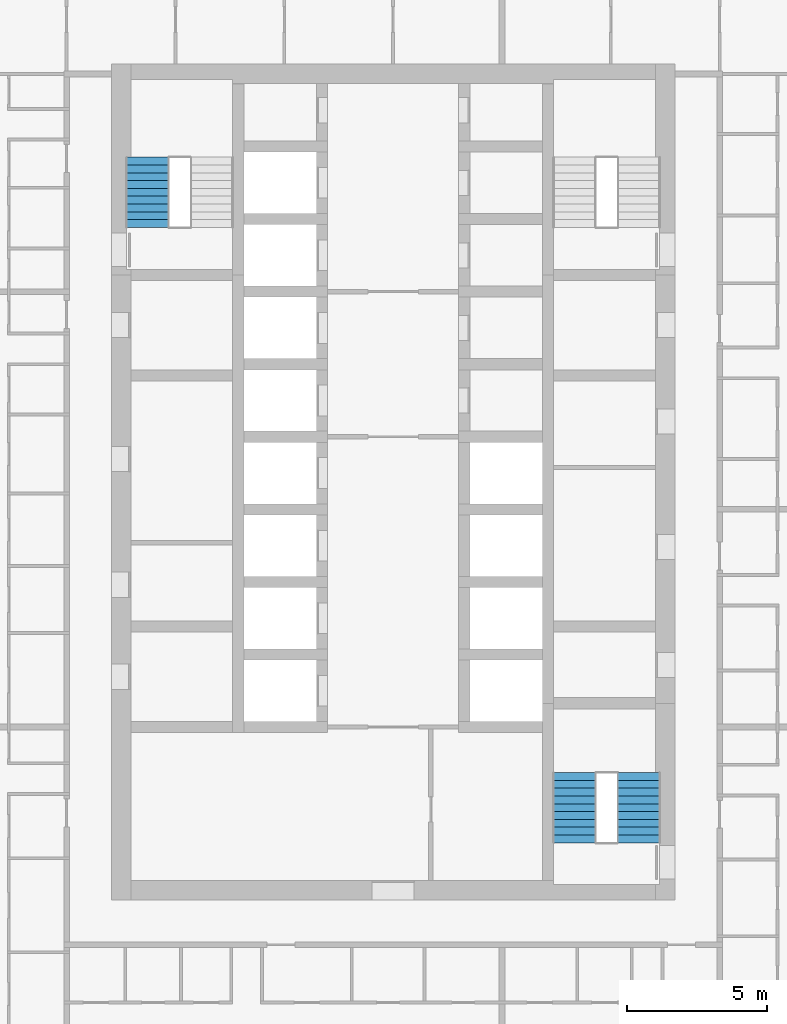
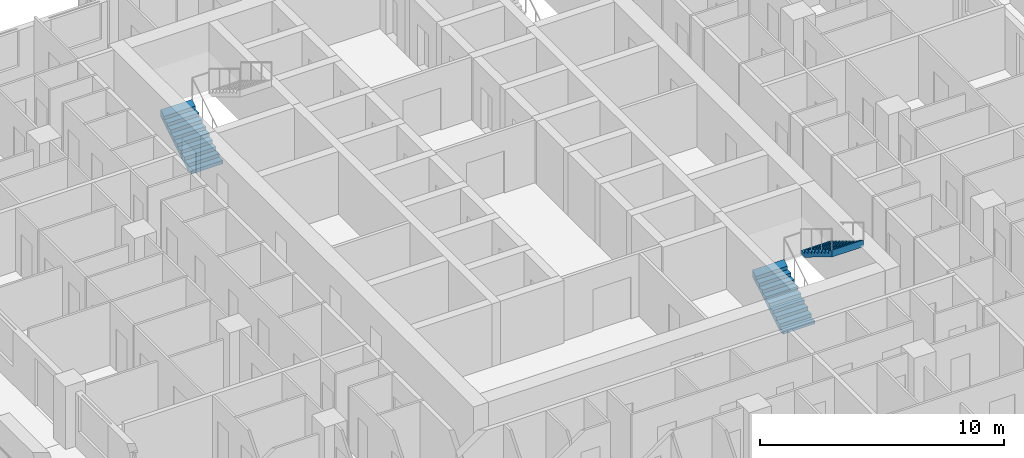
# One storey, part 14 of 17: 3 stair flights, 2 elements without a shape of their own.
"""IFC4 building model written with IfcOpenShell, lengths in metres."""

from ifc_helpers import new_model, si_unit, direction, frame, origin, place, context, subcontext, project, spatial, triangles, material, type_object, element, aggregate, save


model = new_model("IFC4")

# Units and contexts
model_context = context("Model", 3, precision=1e-05, world=origin(), true_north=direction((0.0, 1.0)))
body_context = subcontext(model_context, "Body", "Model", "MODEL_VIEW")
ifc_project = project(units=[si_unit("LENGTHUNIT", "METRE"), si_unit("AREAUNIT", "SQUARE_METRE"), si_unit("VOLUMEUNIT", "CUBIC_METRE"), si_unit("PLANEANGLEUNIT", "RADIAN"), si_unit("MASSUNIT", "GRAM", prefix="KILO")], contexts=[model_context])

# Site, building, storey
site_placement = place(None, origin())
site = spatial("IfcSite", under=ifc_project, at=site_placement, CompositionType="ELEMENT")
building_placement = place(site_placement, origin())
building = spatial("IfcBuilding", under=site, at=building_placement, Name="Ludao Terraces", CompositionType="ELEMENT")
storey_placement = place(building_placement, frame((0.0, 0.0, 85.199951171875)))
storey = spatial("IfcBuildingStorey", under=building, at=storey_placement, Name="L23", CompositionType="ELEMENT", Elevation=85.199951171875)

# Stair, stair flight
ifc_material = material(Name="Concrete C40", Category="concrete")
stair_type = type_object("IfcStairType", Name="INT Stair", PredefinedType="HALF_TURN_STAIR", material=ifc_material)
stair_1_placement = place(storey_placement, origin())
stair_1 = element("IfcStair", 1, at=stair_1_placement, inside=storey, type_object=stair_type, Name="EXIT STAIR 1", PredefinedType="HALF_TURN_STAIR")
stair_flight_type = type_object("IfcStairFlightType", Name="INT Stair flight", PredefinedType="STRAIGHT", material=ifc_material)
stair_flight_1_placement = place(storey_placement, frame((76.199951171875, 79.0, 0.0), z_axis=(0.0, 0.0, 1.0), x_axis=(0.0, 1.0, 0.0)))
stair_flight_1 = element("IfcStairFlight", 2, at=stair_flight_1_placement, type_object=stair_flight_type, Name="ST1 flight 1", NumberOfRisers=10, NumberOfTreads=9, PredefinedType="STRAIGHT", RiserHeight=0.17, TreadLength=0.28, context=body_context, shape_type="Tessellation", body=[
    triangles([(0.0, -0.75, 0.0), (0.0, -0.5, 0.0), (0.0, -0.25, 0.0), (0.0, 0.0, 0.0), (0.0, 0.25, 0.0), (0.0, 0.5, 0.0), (0.0, 0.75, 0.0), (0.0, -0.75, 0.169921875), (0.0, -0.5, 0.169921875), (0.0, -0.25, 0.169921875), (0.0, 0.0, 0.169921875), (0.0, 0.25, 0.169921875), (0.0, 0.5, 0.169921875), (0.0, 0.75, 0.169921875), (0.280029296875, -0.75, 0.169921875), (0.280029296875, -0.5, 0.169921875), (0.280029296875, -0.25, 0.169921875), (0.280029296875, 0.0, 0.169921875), (0.280029296875, 0.25, 0.169921875), (0.280029296875, 0.5, 0.169921875), (0.280029296875, 0.75, 0.169921875), (0.280029296875, -0.75, 0.340087890625), (0.280029296875, -0.5, 0.340087890625), (0.280029296875, -0.25, 0.340087890625), (0.280029296875, 0.0, 0.340087890625), (0.280029296875, 0.25, 0.340087890625), (0.280029296875, 0.5, 0.340087890625), (0.280029296875, 0.75, 0.340087890625), (0.56005859375, -0.75, 0.340087890625), (0.56005859375, -0.5, 0.340087890625), (0.56005859375, -0.25, 0.340087890625), (0.56005859375, 0.0, 0.340087890625), (0.56005859375, 0.25, 0.340087890625), (0.56005859375, 0.5, 0.340087890625), (0.56005859375, 0.75, 0.340087890625), (0.56005859375, -0.75, 0.510009765625), (0.56005859375, -0.5, 0.510009765625), (0.56005859375, -0.25, 0.510009765625), (0.56005859375, 0.0, 0.510009765625), (0.56005859375, 0.25, 0.510009765625), (0.56005859375, 0.5, 0.510009765625), (0.56005859375, 0.75, 0.510009765625), (0.840087890625, -0.75, 0.510009765625), (0.840087890625, -0.5, 0.510009765625), (0.840087890625, -0.25, 0.510009765625), (0.840087890625, 0.0, 0.510009765625), (0.840087890625, 0.25, 0.510009765625), (0.840087890625, 0.5, 0.510009765625), (0.840087890625, 0.75, 0.510009765625), (0.840087890625, -0.75, 0.679931640625), (0.840087890625, -0.5, 0.679931640625), (0.840087890625, -0.25, 0.679931640625), (0.840087890625, 0.0, 0.679931640625), (0.840087890625, 0.25, 0.679931640625), (0.840087890625, 0.5, 0.679931640625), (0.840087890625, 0.75, 0.679931640625), (1.1201171875, -0.75, 0.679931640625), (1.1201171875, -0.5, 0.679931640625), (1.1201171875, -0.25, 0.679931640625), (1.1201171875, 0.0, 0.679931640625), (1.1201171875, 0.25, 0.679931640625), (1.1201171875, 0.5, 0.679931640625), (1.1201171875, 0.75, 0.679931640625), (1.1201171875, -0.75, 0.85009765625), (1.1201171875, -0.5, 0.85009765625), (1.1201171875, -0.25, 0.85009765625), (1.1201171875, 0.0, 0.85009765625), (1.1201171875, 0.25, 0.85009765625), (1.1201171875, 0.5, 0.85009765625), (1.1201171875, 0.75, 0.85009765625), (1.39990234375, -0.75, 0.85009765625), (1.39990234375, -0.5, 0.85009765625), (1.39990234375, -0.25, 0.85009765625), (1.39990234375, 0.0, 0.85009765625), (1.39990234375, 0.25, 0.85009765625), (1.39990234375, 0.5, 0.85009765625), (1.39990234375, 0.75, 0.85009765625), (1.39990234375, -0.75, 1.02001953125), (1.39990234375, -0.5, 1.02001953125), (1.39990234375, -0.25, 1.02001953125), (1.39990234375, 0.0, 1.02001953125), (1.39990234375, 0.25, 1.02001953125), (1.39990234375, 0.5, 1.02001953125), (1.39990234375, 0.75, 1.02001953125), (1.679931640625, -0.75, 1.02001953125), (1.679931640625, -0.5, 1.02001953125), (1.679931640625, -0.25, 1.02001953125), (1.679931640625, 0.0, 1.02001953125), (1.679931640625, 0.25, 1.02001953125), (1.679931640625, 0.5, 1.02001953125), (1.679931640625, 0.75, 1.02001953125), (1.679931640625, -0.75, 1.18994140625), (1.679931640625, -0.5, 1.18994140625), (1.679931640625, -0.25, 1.18994140625), (1.679931640625, 0.0, 1.18994140625), (1.679931640625, 0.25, 1.18994140625), (1.679931640625, 0.5, 1.18994140625), (1.679931640625, 0.75, 1.18994140625), (1.9599609375, -0.75, 1.18994140625), (1.9599609375, -0.5, 1.18994140625), (1.9599609375, -0.25, 1.18994140625), (1.9599609375, 0.0, 1.18994140625), (1.9599609375, 0.25, 1.18994140625), (1.9599609375, 0.5, 1.18994140625), (1.9599609375, 0.75, 1.18994140625), (1.9599609375, -0.75, 1.360107421875), (1.9599609375, -0.5, 1.360107421875), (1.9599609375, -0.25, 1.360107421875), (1.9599609375, 0.0, 1.360107421875), (1.9599609375, 0.25, 1.360107421875), (1.9599609375, 0.5, 1.360107421875), (1.9599609375, 0.75, 1.360107421875), (2.239990234375, -0.75, 1.360107421875), (2.239990234375, -0.5, 1.360107421875), (2.239990234375, -0.25, 1.360107421875), (2.239990234375, 0.0, 1.360107421875), (2.239990234375, 0.25, 1.360107421875), (2.239990234375, 0.5, 1.360107421875), (2.239990234375, 0.75, 1.360107421875), (2.239990234375, -0.75, 1.530029296875), (2.239990234375, -0.5, 1.530029296875), (2.239990234375, -0.25, 1.530029296875), (2.239990234375, 0.0, 1.530029296875), (2.239990234375, 0.25, 1.530029296875), (2.239990234375, 0.5, 1.530029296875), (2.239990234375, 0.75, 1.530029296875), (2.52001953125, -0.75, 1.699951171875), (2.52001953125, -0.5, 1.699951171875), (2.52001953125, -0.25, 1.699951171875), (2.52001953125, 0.0, 1.699951171875), (2.52001953125, 0.25, 1.699951171875), (2.52001953125, 0.5, 1.699951171875), (2.52001953125, 0.75, 1.699951171875), (2.52001953125, -0.75, 1.354736328125), (2.52001953125, -0.5, 1.354736328125), (2.52001953125, -0.25, 1.354736328125), (2.52001953125, 0.0, 1.354736328125), (2.52001953125, 0.25, 1.354736328125), (2.52001953125, 0.5, 1.354736328125), (2.52001953125, 0.75, 1.354736328125), (0.288818359375, -0.75, 0.0), (0.288818359375, -0.5, 0.0), (0.288818359375, -0.25, 0.0), (0.288818359375, 0.0, 0.0), (0.288818359375, 0.25, 0.0), (0.288818359375, 0.5, 0.0), (0.288818359375, 0.75, 0.0)], [[1, 141, 134], [7, 140, 147], [134, 127, 120], [140, 126, 133], [134, 120, 113], [140, 119, 126], [134, 113, 106], [140, 112, 119], [134, 106, 99], [140, 105, 112], [99, 92, 85], [105, 91, 98], [134, 99, 85], [140, 91, 105], [85, 78, 71], [91, 77, 84], [134, 85, 71], [140, 77, 91], [71, 64, 57], [77, 63, 70], [134, 71, 57], [140, 63, 77], [57, 50, 43], [63, 49, 56], [134, 57, 43], [140, 49, 63], [43, 36, 29], [49, 35, 42], [134, 43, 29], [140, 35, 49], [29, 22, 15], [35, 21, 28], [134, 29, 15], [140, 21, 35], [1, 134, 15], [7, 21, 140], [15, 8, 1], [21, 7, 14], [1, 9, 2], [1, 8, 9], [2, 10, 3], [2, 9, 10], [3, 11, 4], [3, 10, 11], [4, 12, 5], [4, 11, 12], [5, 13, 6], [5, 12, 13], [6, 14, 7], [6, 13, 14], [8, 16, 9], [8, 15, 16], [9, 17, 10], [9, 16, 17], [10, 18, 11], [10, 17, 18], [11, 19, 12], [11, 18, 19], [12, 20, 13], [12, 19, 20], [13, 21, 14], [13, 20, 21], [15, 23, 16], [15, 22, 23], [16, 24, 17], [16, 23, 24], [17, 25, 18], [17, 24, 25], [18, 26, 19], [18, 25, 26], [19, 27, 20], [19, 26, 27], [20, 28, 21], [20, 27, 28], [22, 30, 23], [22, 29, 30], [23, 31, 24], [23, 30, 31], [24, 32, 25], [24, 31, 32], [25, 33, 26], [25, 32, 33], [26, 34, 27], [26, 33, 34], [27, 35, 28], [27, 34, 35], [29, 37, 30], [29, 36, 37], [30, 38, 31], [30, 37, 38], [31, 39, 32], [31, 38, 39], [32, 40, 33], [32, 39, 40], [33, 41, 34], [33, 40, 41], [34, 42, 35], [34, 41, 42], [36, 44, 37], [36, 43, 44], [37, 45, 38], [37, 44, 45], [38, 46, 39], [38, 45, 46], [39, 47, 40], [39, 46, 47], [40, 48, 41], [40, 47, 48], [41, 49, 42], [41, 48, 49], [43, 51, 44], [43, 50, 51], [44, 52, 45], [44, 51, 52], [45, 53, 46], [45, 52, 53], [46, 54, 47], [46, 53, 54], [47, 55, 48], [47, 54, 55], [48, 56, 49], [48, 55, 56], [50, 58, 51], [50, 57, 58], [51, 59, 52], [51, 58, 59], [52, 60, 53], [52, 59, 60], [53, 61, 54], [53, 60, 61], [54, 62, 55], [54, 61, 62], [55, 63, 56], [55, 62, 63], [57, 65, 58], [57, 64, 65], [58, 66, 59], [58, 65, 66], [59, 67, 60], [59, 66, 67], [60, 68, 61], [60, 67, 68], [61, 69, 62], [61, 68, 69], [62, 70, 63], [62, 69, 70], [64, 72, 65], [64, 71, 72], [65, 73, 66], [65, 72, 73], [66, 74, 67], [66, 73, 74], [67, 75, 68], [67, 74, 75], [68, 76, 69], [68, 75, 76], [69, 77, 70], [69, 76, 77], [71, 79, 72], [71, 78, 79], [72, 80, 73], [72, 79, 80], [73, 81, 74], [73, 80, 81], [74, 82, 75], [74, 81, 82], [75, 83, 76], [75, 82, 83], [76, 84, 77], [76, 83, 84], [78, 86, 79], [78, 85, 86], [79, 87, 80], [79, 86, 87], [80, 88, 81], [80, 87, 88], [81, 89, 82], [81, 88, 89], [82, 90, 83], [82, 89, 90], [83, 91, 84], [83, 90, 91], [85, 93, 86], [85, 92, 93], [86, 94, 87], [86, 93, 94], [87, 95, 88], [87, 94, 95], [88, 96, 89], [88, 95, 96], [89, 97, 90], [89, 96, 97], [90, 98, 91], [90, 97, 98], [92, 100, 93], [92, 99, 100], [93, 101, 94], [93, 100, 101], [94, 102, 95], [94, 101, 102], [95, 103, 96], [95, 102, 103], [96, 104, 97], [96, 103, 104], [97, 105, 98], [97, 104, 105], [99, 107, 100], [99, 106, 107], [100, 108, 101], [100, 107, 108], [101, 109, 102], [101, 108, 109], [102, 110, 103], [102, 109, 110], [103, 111, 104], [103, 110, 111], [104, 112, 105], [104, 111, 112], [106, 114, 107], [106, 113, 114], [107, 115, 108], [107, 114, 115], [108, 116, 109], [108, 115, 116], [109, 117, 110], [109, 116, 117], [110, 118, 111], [110, 117, 118], [111, 119, 112], [111, 118, 119], [113, 121, 114], [113, 120, 121], [114, 122, 115], [114, 121, 122], [115, 123, 116], [115, 122, 123], [116, 124, 117], [116, 123, 124], [117, 125, 118], [117, 124, 125], [118, 126, 119], [118, 125, 126], [120, 128, 121], [120, 127, 128], [121, 129, 122], [121, 128, 129], [122, 130, 123], [122, 129, 130], [123, 131, 124], [123, 130, 131], [124, 132, 125], [124, 131, 132], [125, 133, 126], [125, 132, 133], [127, 135, 128], [127, 134, 135], [128, 136, 129], [128, 135, 136], [129, 137, 130], [129, 136, 137], [130, 138, 131], [130, 137, 138], [131, 139, 132], [131, 138, 139], [132, 140, 133], [132, 139, 140], [134, 142, 135], [134, 141, 142], [135, 143, 136], [135, 142, 143], [136, 144, 137], [136, 143, 144], [137, 145, 138], [137, 144, 145], [138, 146, 139], [138, 145, 146], [139, 147, 140], [139, 146, 147], [141, 2, 142], [141, 1, 2], [142, 3, 143], [142, 2, 3], [143, 4, 144], [143, 3, 4], [144, 5, 145], [144, 4, 5], [145, 6, 146], [145, 5, 6], [146, 7, 147], [146, 6, 7]], closed=True),
])
aggregate(stair_1, [stair_flight_1])

# Stair, stair flights
stair_2_placement = place(storey_placement, origin())
stair_2 = element("IfcStair", 3, at=stair_2_placement, inside=storey, type_object=stair_type, Name="EXIT STAIR 3", PredefinedType="HALF_TURN_STAIR")
stair_flight_2_placement = place(storey_placement, frame((91.5, 56.949951171875, 0.0), z_axis=(0.0, 0.0, 1.0), x_axis=(0.0, 1.0, 0.0)))
stair_flight_2 = element("IfcStairFlight", 4, at=stair_flight_2_placement, type_object=stair_flight_type, Name="ST3 flight 1", NumberOfRisers=10, NumberOfTreads=9, PredefinedType="STRAIGHT", RiserHeight=0.17, TreadLength=0.28, context=body_context, shape_type="Tessellation", body=[
    triangles([(0.0, -0.75, 0.0), (0.0, -0.5, 0.0), (0.0, -0.25, 0.0), (0.0, 0.0, 0.0), (0.0, 0.25, 0.0), (0.0, 0.5, 0.0), (0.0, 0.75, 0.0), (0.0, -0.75, 0.169921875), (0.0, -0.5, 0.169921875), (0.0, -0.25, 0.169921875), (0.0, 0.0, 0.169921875), (0.0, 0.25, 0.169921875), (0.0, 0.5, 0.169921875), (0.0, 0.75, 0.169921875), (0.280029296875, -0.75, 0.169921875), (0.280029296875, -0.5, 0.169921875), (0.280029296875, -0.25, 0.169921875), (0.280029296875, 0.0, 0.169921875), (0.280029296875, 0.25, 0.169921875), (0.280029296875, 0.5, 0.169921875), (0.280029296875, 0.75, 0.169921875), (0.280029296875, -0.75, 0.340087890625), (0.280029296875, -0.5, 0.340087890625), (0.280029296875, -0.25, 0.340087890625), (0.280029296875, 0.0, 0.340087890625), (0.280029296875, 0.25, 0.340087890625), (0.280029296875, 0.5, 0.340087890625), (0.280029296875, 0.75, 0.340087890625), (0.56005859375, -0.75, 0.340087890625), (0.56005859375, -0.5, 0.340087890625), (0.56005859375, -0.25, 0.340087890625), (0.56005859375, 0.0, 0.340087890625), (0.56005859375, 0.25, 0.340087890625), (0.56005859375, 0.5, 0.340087890625), (0.56005859375, 0.75, 0.340087890625), (0.56005859375, -0.75, 0.510009765625), (0.56005859375, -0.5, 0.510009765625), (0.56005859375, -0.25, 0.510009765625), (0.56005859375, 0.0, 0.510009765625), (0.56005859375, 0.25, 0.510009765625), (0.56005859375, 0.5, 0.510009765625), (0.56005859375, 0.75, 0.510009765625), (0.840087890625, -0.75, 0.510009765625), (0.840087890625, -0.5, 0.510009765625), (0.840087890625, -0.25, 0.510009765625), (0.840087890625, 0.0, 0.510009765625), (0.840087890625, 0.25, 0.510009765625), (0.840087890625, 0.5, 0.510009765625), (0.840087890625, 0.75, 0.510009765625), (0.840087890625, -0.75, 0.679931640625), (0.840087890625, -0.5, 0.679931640625), (0.840087890625, -0.25, 0.679931640625), (0.840087890625, 0.0, 0.679931640625), (0.840087890625, 0.25, 0.679931640625), (0.840087890625, 0.5, 0.679931640625), (0.840087890625, 0.75, 0.679931640625), (1.1201171875, -0.75, 0.679931640625), (1.1201171875, -0.5, 0.679931640625), (1.1201171875, -0.25, 0.679931640625), (1.1201171875, 0.0, 0.679931640625), (1.1201171875, 0.25, 0.679931640625), (1.1201171875, 0.5, 0.679931640625), (1.1201171875, 0.75, 0.679931640625), (1.1201171875, -0.75, 0.85009765625), (1.1201171875, -0.5, 0.85009765625), (1.1201171875, -0.25, 0.85009765625), (1.1201171875, 0.0, 0.85009765625), (1.1201171875, 0.25, 0.85009765625), (1.1201171875, 0.5, 0.85009765625), (1.1201171875, 0.75, 0.85009765625), (1.39990234375, -0.75, 0.85009765625), (1.39990234375, -0.5, 0.85009765625), (1.39990234375, -0.25, 0.85009765625), (1.39990234375, 0.0, 0.85009765625), (1.39990234375, 0.25, 0.85009765625), (1.39990234375, 0.5, 0.85009765625), (1.39990234375, 0.75, 0.85009765625), (1.39990234375, -0.75, 1.02001953125), (1.39990234375, -0.5, 1.02001953125), (1.39990234375, -0.25, 1.02001953125), (1.39990234375, 0.0, 1.02001953125), (1.39990234375, 0.25, 1.02001953125), (1.39990234375, 0.5, 1.02001953125), (1.39990234375, 0.75, 1.02001953125), (1.679931640625, -0.75, 1.02001953125), (1.679931640625, -0.5, 1.02001953125), (1.679931640625, -0.25, 1.02001953125), (1.679931640625, 0.0, 1.02001953125), (1.679931640625, 0.25, 1.02001953125), (1.679931640625, 0.5, 1.02001953125), (1.679931640625, 0.75, 1.02001953125), (1.679931640625, -0.75, 1.18994140625), (1.679931640625, -0.5, 1.18994140625), (1.679931640625, -0.25, 1.18994140625), (1.679931640625, 0.0, 1.18994140625), (1.679931640625, 0.25, 1.18994140625), (1.679931640625, 0.5, 1.18994140625), (1.679931640625, 0.75, 1.18994140625), (1.9599609375, -0.75, 1.18994140625), (1.9599609375, -0.5, 1.18994140625), (1.9599609375, -0.25, 1.18994140625), (1.9599609375, 0.0, 1.18994140625), (1.9599609375, 0.25, 1.18994140625), (1.9599609375, 0.5, 1.18994140625), (1.9599609375, 0.75, 1.18994140625), (1.9599609375, -0.75, 1.360107421875), (1.9599609375, -0.5, 1.360107421875), (1.9599609375, -0.25, 1.360107421875), (1.9599609375, 0.0, 1.360107421875), (1.9599609375, 0.25, 1.360107421875), (1.9599609375, 0.5, 1.360107421875), (1.9599609375, 0.75, 1.360107421875), (2.239990234375, -0.75, 1.360107421875), (2.239990234375, -0.5, 1.360107421875), (2.239990234375, -0.25, 1.360107421875), (2.239990234375, 0.0, 1.360107421875), (2.239990234375, 0.25, 1.360107421875), (2.239990234375, 0.5, 1.360107421875), (2.239990234375, 0.75, 1.360107421875), (2.239990234375, -0.75, 1.530029296875), (2.239990234375, -0.5, 1.530029296875), (2.239990234375, -0.25, 1.530029296875), (2.239990234375, 0.0, 1.530029296875), (2.239990234375, 0.25, 1.530029296875), (2.239990234375, 0.5, 1.530029296875), (2.239990234375, 0.75, 1.530029296875), (2.52001953125, -0.75, 1.699951171875), (2.52001953125, -0.5, 1.699951171875), (2.52001953125, -0.25, 1.699951171875), (2.52001953125, 0.0, 1.699951171875), (2.52001953125, 0.25, 1.699951171875), (2.52001953125, 0.5, 1.699951171875), (2.52001953125, 0.75, 1.699951171875), (2.52001953125, -0.75, 1.354736328125), (2.52001953125, -0.5, 1.354736328125), (2.52001953125, -0.25, 1.354736328125), (2.52001953125, 0.0, 1.354736328125), (2.52001953125, 0.25, 1.354736328125), (2.52001953125, 0.5, 1.354736328125), (2.52001953125, 0.75, 1.354736328125), (0.288818359375, -0.75, 0.0), (0.288818359375, -0.5, 0.0), (0.288818359375, -0.25, 0.0), (0.288818359375, 0.0, 0.0), (0.288818359375, 0.25, 0.0), (0.288818359375, 0.5, 0.0), (0.288818359375, 0.75, 0.0)], [[1, 141, 134], [7, 140, 147], [134, 127, 120], [140, 126, 133], [134, 120, 113], [140, 119, 126], [134, 113, 106], [140, 112, 119], [134, 106, 99], [140, 105, 112], [99, 92, 85], [105, 91, 98], [134, 99, 85], [140, 91, 105], [85, 78, 71], [91, 77, 84], [134, 85, 71], [140, 77, 91], [71, 64, 57], [77, 63, 70], [134, 71, 57], [140, 63, 77], [57, 50, 43], [63, 49, 56], [134, 57, 43], [140, 49, 63], [43, 36, 29], [49, 35, 42], [134, 43, 29], [140, 35, 49], [29, 22, 15], [35, 21, 28], [134, 29, 15], [140, 21, 35], [1, 134, 15], [7, 21, 140], [15, 8, 1], [21, 7, 14], [1, 9, 2], [1, 8, 9], [2, 10, 3], [2, 9, 10], [3, 11, 4], [3, 10, 11], [4, 12, 5], [4, 11, 12], [5, 13, 6], [5, 12, 13], [6, 14, 7], [6, 13, 14], [8, 16, 9], [8, 15, 16], [9, 17, 10], [9, 16, 17], [10, 18, 11], [10, 17, 18], [11, 19, 12], [11, 18, 19], [12, 20, 13], [12, 19, 20], [13, 21, 14], [13, 20, 21], [15, 23, 16], [15, 22, 23], [16, 24, 17], [16, 23, 24], [17, 25, 18], [17, 24, 25], [18, 26, 19], [18, 25, 26], [19, 27, 20], [19, 26, 27], [20, 28, 21], [20, 27, 28], [22, 30, 23], [22, 29, 30], [23, 31, 24], [23, 30, 31], [24, 32, 25], [24, 31, 32], [25, 33, 26], [25, 32, 33], [26, 34, 27], [26, 33, 34], [27, 35, 28], [27, 34, 35], [29, 37, 30], [29, 36, 37], [30, 38, 31], [30, 37, 38], [31, 39, 32], [31, 38, 39], [32, 40, 33], [32, 39, 40], [33, 41, 34], [33, 40, 41], [34, 42, 35], [34, 41, 42], [36, 44, 37], [36, 43, 44], [37, 45, 38], [37, 44, 45], [38, 46, 39], [38, 45, 46], [39, 47, 40], [39, 46, 47], [40, 48, 41], [40, 47, 48], [41, 49, 42], [41, 48, 49], [43, 51, 44], [43, 50, 51], [44, 52, 45], [44, 51, 52], [45, 53, 46], [45, 52, 53], [46, 54, 47], [46, 53, 54], [47, 55, 48], [47, 54, 55], [48, 56, 49], [48, 55, 56], [50, 58, 51], [50, 57, 58], [51, 59, 52], [51, 58, 59], [52, 60, 53], [52, 59, 60], [53, 61, 54], [53, 60, 61], [54, 62, 55], [54, 61, 62], [55, 63, 56], [55, 62, 63], [57, 65, 58], [57, 64, 65], [58, 66, 59], [58, 65, 66], [59, 67, 60], [59, 66, 67], [60, 68, 61], [60, 67, 68], [61, 69, 62], [61, 68, 69], [62, 70, 63], [62, 69, 70], [64, 72, 65], [64, 71, 72], [65, 73, 66], [65, 72, 73], [66, 74, 67], [66, 73, 74], [67, 75, 68], [67, 74, 75], [68, 76, 69], [68, 75, 76], [69, 77, 70], [69, 76, 77], [71, 79, 72], [71, 78, 79], [72, 80, 73], [72, 79, 80], [73, 81, 74], [73, 80, 81], [74, 82, 75], [74, 81, 82], [75, 83, 76], [75, 82, 83], [76, 84, 77], [76, 83, 84], [78, 86, 79], [78, 85, 86], [79, 87, 80], [79, 86, 87], [80, 88, 81], [80, 87, 88], [81, 89, 82], [81, 88, 89], [82, 90, 83], [82, 89, 90], [83, 91, 84], [83, 90, 91], [85, 93, 86], [85, 92, 93], [86, 94, 87], [86, 93, 94], [87, 95, 88], [87, 94, 95], [88, 96, 89], [88, 95, 96], [89, 97, 90], [89, 96, 97], [90, 98, 91], [90, 97, 98], [92, 100, 93], [92, 99, 100], [93, 101, 94], [93, 100, 101], [94, 102, 95], [94, 101, 102], [95, 103, 96], [95, 102, 103], [96, 104, 97], [96, 103, 104], [97, 105, 98], [97, 104, 105], [99, 107, 100], [99, 106, 107], [100, 108, 101], [100, 107, 108], [101, 109, 102], [101, 108, 109], [102, 110, 103], [102, 109, 110], [103, 111, 104], [103, 110, 111], [104, 112, 105], [104, 111, 112], [106, 114, 107], [106, 113, 114], [107, 115, 108], [107, 114, 115], [108, 116, 109], [108, 115, 116], [109, 117, 110], [109, 116, 117], [110, 118, 111], [110, 117, 118], [111, 119, 112], [111, 118, 119], [113, 121, 114], [113, 120, 121], [114, 122, 115], [114, 121, 122], [115, 123, 116], [115, 122, 123], [116, 124, 117], [116, 123, 124], [117, 125, 118], [117, 124, 125], [118, 126, 119], [118, 125, 126], [120, 128, 121], [120, 127, 128], [121, 129, 122], [121, 128, 129], [122, 130, 123], [122, 129, 130], [123, 131, 124], [123, 130, 131], [124, 132, 125], [124, 131, 132], [125, 133, 126], [125, 132, 133], [127, 135, 128], [127, 134, 135], [128, 136, 129], [128, 135, 136], [129, 137, 130], [129, 136, 137], [130, 138, 131], [130, 137, 138], [131, 139, 132], [131, 138, 139], [132, 140, 133], [132, 139, 140], [134, 142, 135], [134, 141, 142], [135, 143, 136], [135, 142, 143], [136, 144, 137], [136, 143, 144], [137, 145, 138], [137, 144, 145], [138, 146, 139], [138, 145, 146], [139, 147, 140], [139, 146, 147], [141, 2, 142], [141, 1, 2], [142, 3, 143], [142, 2, 3], [143, 4, 144], [143, 3, 4], [144, 5, 145], [144, 4, 5], [145, 6, 146], [145, 5, 6], [146, 7, 147], [146, 6, 7]], closed=True),
])
stair_flight_3_placement = place(storey_placement, frame((93.800048828125, 59.469970703125, 1.699951171875), z_axis=(0.0, 0.0, 1.0), x_axis=(0.0, -1.0, 0.0)))
stair_flight_3 = element("IfcStairFlight", 5, at=stair_flight_3_placement, type_object=stair_flight_type, Name="ST3 flight 2", NumberOfRisers=10, NumberOfTreads=9, PredefinedType="STRAIGHT", RiserHeight=0.17, TreadLength=0.28, context=body_context, shape_type="Tessellation", body=[
    triangles([(0.0, -0.75, 0.0), (0.0, -0.5, 0.0), (0.0, -0.25, 0.0), (0.0, 0.0, 0.0), (0.0, 0.25, 0.0), (0.0, 0.5, 0.0), (0.0, 0.75, 0.0), (0.0, -0.75, 0.169921875), (0.0, -0.5, 0.169921875), (0.0, -0.25, 0.169921875), (0.0, 0.0, 0.169921875), (0.0, 0.25, 0.169921875), (0.0, 0.5, 0.169921875), (0.0, 0.75, 0.169921875), (0.280029296875, -0.75, 0.169921875), (0.280029296875, -0.5, 0.169921875), (0.280029296875, -0.25, 0.169921875), (0.280029296875, 0.0, 0.169921875), (0.280029296875, 0.25, 0.169921875), (0.280029296875, 0.5, 0.169921875), (0.280029296875, 0.75, 0.169921875), (0.280029296875, -0.75, 0.340087890625), (0.280029296875, -0.5, 0.340087890625), (0.280029296875, -0.25, 0.340087890625), (0.280029296875, 0.0, 0.340087890625), (0.280029296875, 0.25, 0.340087890625), (0.280029296875, 0.5, 0.340087890625), (0.280029296875, 0.75, 0.340087890625), (0.56005859375, -0.75, 0.340087890625), (0.56005859375, -0.5, 0.340087890625), (0.56005859375, -0.25, 0.340087890625), (0.56005859375, 0.0, 0.340087890625), (0.56005859375, 0.25, 0.340087890625), (0.56005859375, 0.5, 0.340087890625), (0.56005859375, 0.75, 0.340087890625), (0.56005859375, -0.75, 0.510009765625), (0.56005859375, -0.5, 0.510009765625), (0.56005859375, -0.25, 0.510009765625), (0.56005859375, 0.0, 0.510009765625), (0.56005859375, 0.25, 0.510009765625), (0.56005859375, 0.5, 0.510009765625), (0.56005859375, 0.75, 0.510009765625), (0.840087890625, -0.75, 0.510009765625), (0.840087890625, -0.5, 0.510009765625), (0.840087890625, -0.25, 0.510009765625), (0.840087890625, 0.0, 0.510009765625), (0.840087890625, 0.25, 0.510009765625), (0.840087890625, 0.5, 0.510009765625), (0.840087890625, 0.75, 0.510009765625), (0.840087890625, -0.75, 0.679931640625), (0.840087890625, -0.5, 0.679931640625), (0.840087890625, -0.25, 0.679931640625), (0.840087890625, 0.0, 0.679931640625), (0.840087890625, 0.25, 0.679931640625), (0.840087890625, 0.5, 0.679931640625), (0.840087890625, 0.75, 0.679931640625), (1.1201171875, -0.75, 0.679931640625), (1.1201171875, -0.5, 0.679931640625), (1.1201171875, -0.25, 0.679931640625), (1.1201171875, 0.0, 0.679931640625), (1.1201171875, 0.25, 0.679931640625), (1.1201171875, 0.5, 0.679931640625), (1.1201171875, 0.75, 0.679931640625), (1.1201171875, -0.75, 0.85009765625), (1.1201171875, -0.5, 0.85009765625), (1.1201171875, -0.25, 0.85009765625), (1.1201171875, 0.0, 0.85009765625), (1.1201171875, 0.25, 0.85009765625), (1.1201171875, 0.5, 0.85009765625), (1.1201171875, 0.75, 0.85009765625), (1.39990234375, -0.75, 0.85009765625), (1.39990234375, -0.5, 0.85009765625), (1.39990234375, -0.25, 0.85009765625), (1.39990234375, 0.0, 0.85009765625), (1.39990234375, 0.25, 0.85009765625), (1.39990234375, 0.5, 0.85009765625), (1.39990234375, 0.75, 0.85009765625), (1.39990234375, -0.75, 1.02001953125), (1.39990234375, -0.5, 1.02001953125), (1.39990234375, -0.25, 1.02001953125), (1.39990234375, 0.0, 1.02001953125), (1.39990234375, 0.25, 1.02001953125), (1.39990234375, 0.5, 1.02001953125), (1.39990234375, 0.75, 1.02001953125), (1.679931640625, -0.75, 1.02001953125), (1.679931640625, -0.5, 1.02001953125), (1.679931640625, -0.25, 1.02001953125), (1.679931640625, 0.0, 1.02001953125), (1.679931640625, 0.25, 1.02001953125), (1.679931640625, 0.5, 1.02001953125), (1.679931640625, 0.75, 1.02001953125), (1.679931640625, -0.75, 1.18994140625), (1.679931640625, -0.5, 1.18994140625), (1.679931640625, -0.25, 1.18994140625), (1.679931640625, 0.0, 1.18994140625), (1.679931640625, 0.25, 1.18994140625), (1.679931640625, 0.5, 1.18994140625), (1.679931640625, 0.75, 1.18994140625), (1.9599609375, -0.75, 1.18994140625), (1.9599609375, -0.5, 1.18994140625), (1.9599609375, -0.25, 1.18994140625), (1.9599609375, 0.0, 1.18994140625), (1.9599609375, 0.25, 1.18994140625), (1.9599609375, 0.5, 1.18994140625), (1.9599609375, 0.75, 1.18994140625), (1.9599609375, -0.75, 1.360107421875), (1.9599609375, -0.5, 1.360107421875), (1.9599609375, -0.25, 1.360107421875), (1.9599609375, 0.0, 1.360107421875), (1.9599609375, 0.25, 1.360107421875), (1.9599609375, 0.5, 1.360107421875), (1.9599609375, 0.75, 1.360107421875), (2.239990234375, -0.75, 1.360107421875), (2.239990234375, -0.5, 1.360107421875), (2.239990234375, -0.25, 1.360107421875), (2.239990234375, 0.0, 1.360107421875), (2.239990234375, 0.25, 1.360107421875), (2.239990234375, 0.5, 1.360107421875), (2.239990234375, 0.75, 1.360107421875), (2.239990234375, -0.75, 1.530029296875), (2.239990234375, -0.5, 1.530029296875), (2.239990234375, -0.25, 1.530029296875), (2.239990234375, 0.0, 1.530029296875), (2.239990234375, 0.25, 1.530029296875), (2.239990234375, 0.5, 1.530029296875), (2.239990234375, 0.75, 1.530029296875), (2.52001953125, -0.75, 1.699951171875), (2.52001953125, -0.5, 1.699951171875), (2.52001953125, -0.25, 1.699951171875), (2.52001953125, 0.0, 1.699951171875), (2.52001953125, 0.25, 1.699951171875), (2.52001953125, 0.5, 1.699951171875), (2.52001953125, 0.75, 1.699951171875), (2.52001953125, -0.75, 1.354736328125), (2.52001953125, -0.5, 1.354736328125), (2.52001953125, -0.25, 1.354736328125), (2.52001953125, 0.0, 1.354736328125), (2.52001953125, 0.25, 1.354736328125), (2.52001953125, 0.5, 1.354736328125), (2.52001953125, 0.75, 1.354736328125), (0.288818359375, -0.75, 0.0), (0.288818359375, -0.5, 0.0), (0.288818359375, -0.25, 0.0), (0.288818359375, 0.0, 0.0), (0.288818359375, 0.25, 0.0), (0.288818359375, 0.5, 0.0), (0.288818359375, 0.75, 0.0)], [[1, 141, 134], [7, 140, 147], [134, 127, 120], [140, 126, 133], [134, 120, 113], [140, 119, 126], [134, 113, 106], [140, 112, 119], [134, 106, 99], [140, 105, 112], [99, 92, 85], [105, 91, 98], [134, 99, 85], [140, 91, 105], [85, 78, 71], [91, 77, 84], [134, 85, 71], [140, 77, 91], [71, 64, 57], [77, 63, 70], [134, 71, 57], [140, 63, 77], [57, 50, 43], [63, 49, 56], [134, 57, 43], [140, 49, 63], [43, 36, 29], [49, 35, 42], [134, 43, 29], [140, 35, 49], [29, 22, 15], [35, 21, 28], [134, 29, 15], [140, 21, 35], [1, 134, 15], [7, 21, 140], [15, 8, 1], [21, 7, 14], [1, 9, 2], [1, 8, 9], [2, 10, 3], [2, 9, 10], [3, 11, 4], [3, 10, 11], [4, 12, 5], [4, 11, 12], [5, 13, 6], [5, 12, 13], [6, 14, 7], [6, 13, 14], [8, 16, 9], [8, 15, 16], [9, 17, 10], [9, 16, 17], [10, 18, 11], [10, 17, 18], [11, 19, 12], [11, 18, 19], [12, 20, 13], [12, 19, 20], [13, 21, 14], [13, 20, 21], [15, 23, 16], [15, 22, 23], [16, 24, 17], [16, 23, 24], [17, 25, 18], [17, 24, 25], [18, 26, 19], [18, 25, 26], [19, 27, 20], [19, 26, 27], [20, 28, 21], [20, 27, 28], [22, 30, 23], [22, 29, 30], [23, 31, 24], [23, 30, 31], [24, 32, 25], [24, 31, 32], [25, 33, 26], [25, 32, 33], [26, 34, 27], [26, 33, 34], [27, 35, 28], [27, 34, 35], [29, 37, 30], [29, 36, 37], [30, 38, 31], [30, 37, 38], [31, 39, 32], [31, 38, 39], [32, 40, 33], [32, 39, 40], [33, 41, 34], [33, 40, 41], [34, 42, 35], [34, 41, 42], [36, 44, 37], [36, 43, 44], [37, 45, 38], [37, 44, 45], [38, 46, 39], [38, 45, 46], [39, 47, 40], [39, 46, 47], [40, 48, 41], [40, 47, 48], [41, 49, 42], [41, 48, 49], [43, 51, 44], [43, 50, 51], [44, 52, 45], [44, 51, 52], [45, 53, 46], [45, 52, 53], [46, 54, 47], [46, 53, 54], [47, 55, 48], [47, 54, 55], [48, 56, 49], [48, 55, 56], [50, 58, 51], [50, 57, 58], [51, 59, 52], [51, 58, 59], [52, 60, 53], [52, 59, 60], [53, 61, 54], [53, 60, 61], [54, 62, 55], [54, 61, 62], [55, 63, 56], [55, 62, 63], [57, 65, 58], [57, 64, 65], [58, 66, 59], [58, 65, 66], [59, 67, 60], [59, 66, 67], [60, 68, 61], [60, 67, 68], [61, 69, 62], [61, 68, 69], [62, 70, 63], [62, 69, 70], [64, 72, 65], [64, 71, 72], [65, 73, 66], [65, 72, 73], [66, 74, 67], [66, 73, 74], [67, 75, 68], [67, 74, 75], [68, 76, 69], [68, 75, 76], [69, 77, 70], [69, 76, 77], [71, 79, 72], [71, 78, 79], [72, 80, 73], [72, 79, 80], [73, 81, 74], [73, 80, 81], [74, 82, 75], [74, 81, 82], [75, 83, 76], [75, 82, 83], [76, 84, 77], [76, 83, 84], [78, 86, 79], [78, 85, 86], [79, 87, 80], [79, 86, 87], [80, 88, 81], [80, 87, 88], [81, 89, 82], [81, 88, 89], [82, 90, 83], [82, 89, 90], [83, 91, 84], [83, 90, 91], [85, 93, 86], [85, 92, 93], [86, 94, 87], [86, 93, 94], [87, 95, 88], [87, 94, 95], [88, 96, 89], [88, 95, 96], [89, 97, 90], [89, 96, 97], [90, 98, 91], [90, 97, 98], [92, 100, 93], [92, 99, 100], [93, 101, 94], [93, 100, 101], [94, 102, 95], [94, 101, 102], [95, 103, 96], [95, 102, 103], [96, 104, 97], [96, 103, 104], [97, 105, 98], [97, 104, 105], [99, 107, 100], [99, 106, 107], [100, 108, 101], [100, 107, 108], [101, 109, 102], [101, 108, 109], [102, 110, 103], [102, 109, 110], [103, 111, 104], [103, 110, 111], [104, 112, 105], [104, 111, 112], [106, 114, 107], [106, 113, 114], [107, 115, 108], [107, 114, 115], [108, 116, 109], [108, 115, 116], [109, 117, 110], [109, 116, 117], [110, 118, 111], [110, 117, 118], [111, 119, 112], [111, 118, 119], [113, 121, 114], [113, 120, 121], [114, 122, 115], [114, 121, 122], [115, 123, 116], [115, 122, 123], [116, 124, 117], [116, 123, 124], [117, 125, 118], [117, 124, 125], [118, 126, 119], [118, 125, 126], [120, 128, 121], [120, 127, 128], [121, 129, 122], [121, 128, 129], [122, 130, 123], [122, 129, 130], [123, 131, 124], [123, 130, 131], [124, 132, 125], [124, 131, 132], [125, 133, 126], [125, 132, 133], [127, 135, 128], [127, 134, 135], [128, 136, 129], [128, 135, 136], [129, 137, 130], [129, 136, 137], [130, 138, 131], [130, 137, 138], [131, 139, 132], [131, 138, 139], [132, 140, 133], [132, 139, 140], [134, 142, 135], [134, 141, 142], [135, 143, 136], [135, 142, 143], [136, 144, 137], [136, 143, 144], [137, 145, 138], [137, 144, 145], [138, 146, 139], [138, 145, 146], [139, 147, 140], [139, 146, 147], [141, 2, 142], [141, 1, 2], [142, 3, 143], [142, 2, 3], [143, 4, 144], [143, 3, 4], [144, 5, 145], [144, 4, 5], [145, 6, 146], [145, 5, 6], [146, 7, 147], [146, 6, 7]], closed=True),
])
aggregate(stair_2, [stair_flight_2, stair_flight_3])

save(model, "model.ifc")
